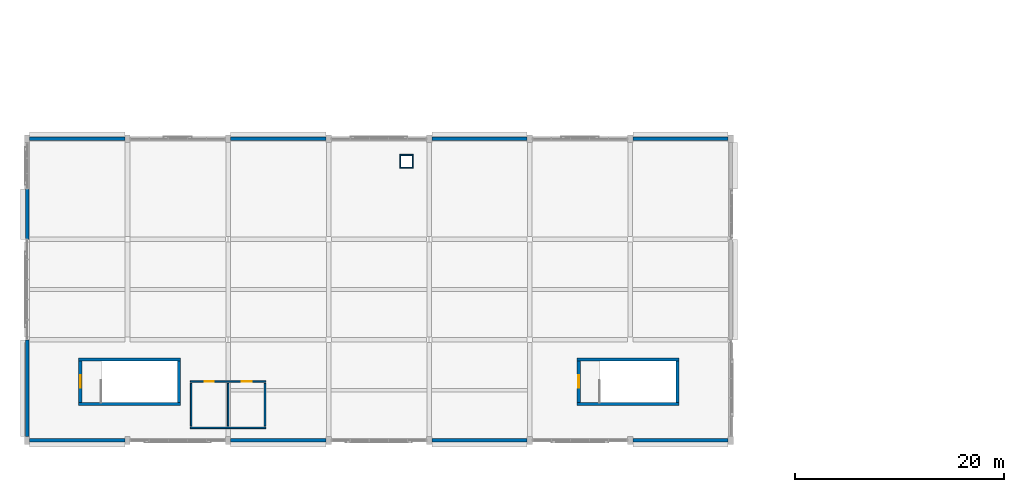
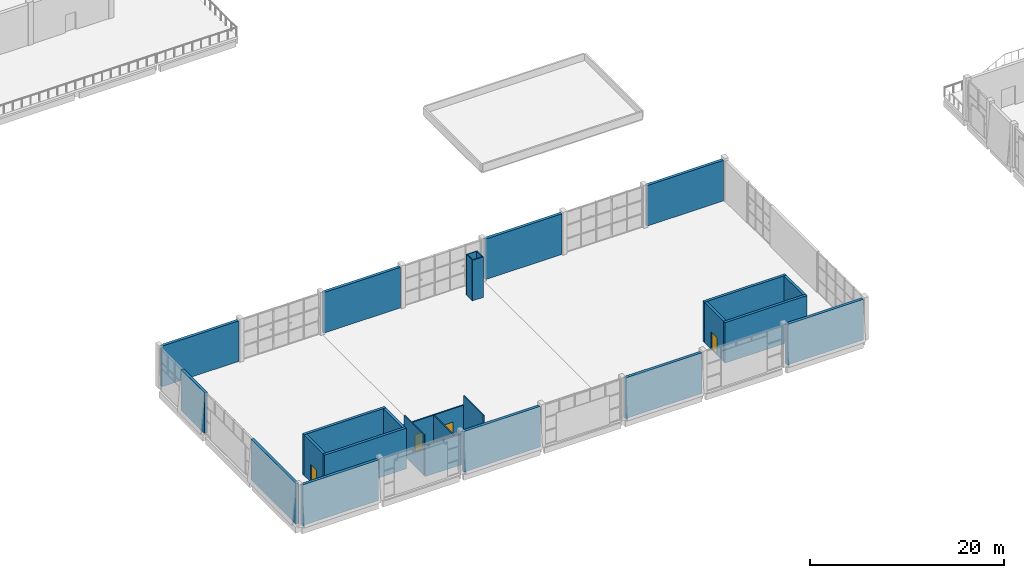
# One storey, part 44 of 72: 27 walls, 4 doors, 4 openings.
"""IFC4 building model written with IfcOpenShell, lengths in metres."""

from ifc_helpers import new_model, si_unit, direction, frame, frame_2d, origin, place, context, subcontext, project, spatial, rectangle, extrude, material, layer, layer_set, type_object, element, fill, save


model = new_model("IFC4")

# Units and contexts
model_context = context("Model", 3, precision=1e-05, world=origin(), true_north=direction((0.0, 1.0)))
body_context = subcontext(model_context, "Body", "Model", "MODEL_VIEW")
ifc_project = project(units=[si_unit("LENGTHUNIT", "METRE"), si_unit("AREAUNIT", "SQUARE_METRE"), si_unit("VOLUMEUNIT", "CUBIC_METRE"), si_unit("PLANEANGLEUNIT", "RADIAN"), si_unit("MASSUNIT", "GRAM", prefix="KILO")], contexts=[model_context])

# Site, building, storey
site_placement = place(None, origin())
site = spatial("IfcSite", under=ifc_project, at=site_placement, CompositionType="ELEMENT")
building_placement = place(site_placement, origin())
building = spatial("IfcBuilding", under=site, at=building_placement, Name="Shalvenor Court Art Gallery", CompositionType="ELEMENT")
storey_placement = place(building_placement, frame((0.0, 0.0, 11.39990234375)))
storey = spatial("IfcBuildingStorey", under=building, at=storey_placement, Name="L02", CompositionType="ELEMENT", Elevation=11.39990234375)

# Walls
ifc_material_1 = material(Name="Concrete C40/50", Category="concrete")
ifc_layer_1 = layer(ifc_material_1, 0.31005859375, Name="Concrete C40/50")
ifc_layer_set_1 = layer_set([ifc_layer_1], Name="Concrete C40/50")
wall_type_1 = type_object("IfcWallType", Name="CW-W2", PredefinedType="SHEAR", material=ifc_layer_set_1)
wall_1_placement = place(storey_placement, frame((4.927978515625, 7.717041015625, 0.0), z_axis=(0.0, 0.0, 1.0), x_axis=(1.0, 0.0, 0.0)))
element("IfcWall", 1, at=wall_1_placement, inside=storey, type_object=wall_type_1, Name="L02 C7 Stair Core Shear Wall N", PredefinedType="SHEAR", context=body_context, shape_type="SweptSolid", body=[
    extrude(rectangle(XDim=9.744140625, YDim=0.31005859375, at=frame_2d((4.8720703125, 0.0))), origin(), (0.0, 0.0, 1.0), 5.10009765625),
])
wall_2_placement = place(storey_placement, frame((14.51708984375, 7.56201171875, 0.0), z_axis=(0.0, 0.0, 1.0), x_axis=(0.0, -1.0, 0.0)))
element("IfcWall", 2, at=wall_2_placement, inside=storey, type_object=wall_type_1, Name="L02 C7 Stair Core Shear Wall E", PredefinedType="SHEAR", context=body_context, shape_type="SweptSolid", body=[
    extrude(rectangle(XDim=3.924072265625, YDim=0.31005859375, at=frame_2d((1.9619140625, 0.0))), origin(), (0.0, 0.0, 1.0), 5.10009765625),
])
wall_3_placement = place(storey_placement, frame((14.672119140625, 3.48291015625, 0.0), z_axis=(0.0, 0.0, 1.0), x_axis=(-1.0, 0.0, 0.0)))
element("IfcWall", 3, at=wall_3_placement, inside=storey, type_object=wall_type_1, Name="L02 C7 Stair Core Shear Wall S", PredefinedType="SHEAR", context=body_context, shape_type="SweptSolid", body=[
    extrude(rectangle(XDim=9.744140625, YDim=0.31005859375, at=frame_2d((4.8720703125, 0.0))), origin(), (0.0, 0.0, 1.0), 5.10009765625),
])

# Wall, opening, door
wall_4_placement = place(storey_placement, frame((5.0830078125, 3.637939453125, 0.0), z_axis=(0.0, 0.0, 1.0), x_axis=(0.0, 1.0, 0.0)))
wall_4 = element("IfcWall", 4, at=wall_4_placement, inside=storey, type_object=wall_type_1, Name="L02 C7 Stair Core Shear Wall W", PredefinedType="SHEAR", context=body_context, shape_type="SweptSolid", body=[
    extrude(rectangle(XDim=3.924072265625, YDim=0.31005859375, at=frame_2d((1.9619140625, 0.0))), origin(), (0.0, 0.0, 1.0), 5.10009765625),
])
opening_1_placement = place(wall_4_placement, frame((1.362060546875, 0.0, 0.0)))
opening_1 = element("IfcOpeningElement", 5, at=opening_1_placement, cuts=wall_4, Name="Opening FD-01", PredefinedType="OPENING", context=body_context, shape_type="SweptSolid", body=[
    extrude(rectangle(XDim=1.199951171875, YDim=2.199951171875, at=frame_2d((0.60009765625, 1.10009765625))), frame((0.0, 0.1650390625, 0.0), z_axis=(0.0, -1.0, 0.0), x_axis=(1.0, 0.0, 0.0)), (0.0, 0.0, 1.0), 0.330078125),
])
ifc_material_2 = material(Name="Fire-rated steel stair doorset", Category="steel")
door_type_1 = type_object("IfcDoorType", Name="FD-01", OperationType="NOTDEFINED", PredefinedType="DOOR", material=ifc_material_2)
door_1_placement = place(opening_1_placement, origin())
door_1 = element("IfcDoor", 6, at=door_1_placement, inside=storey, type_object=door_type_1, Name="DR-ST-L02-C7 L02 ST-07 Fire Stair Door", OperationType="SINGLE_SWING_LEFT", OverallHeight=2.199951171875, OverallWidth=1.199951171875, PredefinedType="DOOR", context=body_context, shape_type="SweptSolid", body=[
    extrude(rectangle(XDim=1.199951171875, YDim=2.199951171875, at=frame_2d((0.60009765625, 1.10009765625))), frame((0.0, 0.02490234375, 0.0), z_axis=(0.0, -1.0, 0.0), x_axis=(1.0, 0.0, 0.0)), (0.0, 0.0, 1.0), 0.050048828125),
])
fill(opening_1, door_1)

# Walls
wall_5_placement = place(storey_placement, frame((52.528076171875, 7.717041015625, 0.0), z_axis=(0.0, 0.0, 1.0), x_axis=(1.0, 0.0, 0.0)))
element("IfcWall", 7, at=wall_5_placement, inside=storey, type_object=wall_type_1, Name="L02 C8 Stair Core Shear Wall N", PredefinedType="SHEAR", context=body_context, shape_type="SweptSolid", body=[
    extrude(rectangle(XDim=9.743896484375, YDim=0.31005859375, at=frame_2d((4.8720703125, 0.0))), origin(), (0.0, 0.0, 1.0), 5.10009765625),
])
wall_6_placement = place(storey_placement, frame((62.116943359375, 7.56201171875, 0.0), z_axis=(0.0, 0.0, 1.0), x_axis=(0.0, -1.0, 0.0)))
element("IfcWall", 8, at=wall_6_placement, inside=storey, type_object=wall_type_1, Name="L02 C8 Stair Core Shear Wall E", PredefinedType="SHEAR", context=body_context, shape_type="SweptSolid", body=[
    extrude(rectangle(XDim=3.924072265625, YDim=0.31005859375, at=frame_2d((1.9619140625, 0.0))), origin(), (0.0, 0.0, 1.0), 5.10009765625),
])
wall_7_placement = place(storey_placement, frame((62.27197265625, 3.48291015625, 0.0), z_axis=(0.0, 0.0, 1.0), x_axis=(-1.0, 0.0, 0.0)))
element("IfcWall", 9, at=wall_7_placement, inside=storey, type_object=wall_type_1, Name="L02 C8 Stair Core Shear Wall S", PredefinedType="SHEAR", context=body_context, shape_type="SweptSolid", body=[
    extrude(rectangle(XDim=9.743896484375, YDim=0.31005859375, at=frame_2d((4.8720703125, 0.0))), origin(), (0.0, 0.0, 1.0), 5.10009765625),
])

# Wall, opening, door
wall_8_placement = place(storey_placement, frame((52.68310546875, 3.637939453125, 0.0), z_axis=(0.0, 0.0, 1.0), x_axis=(0.0, 1.0, 0.0)))
wall_8 = element("IfcWall", 10, at=wall_8_placement, inside=storey, type_object=wall_type_1, Name="L02 C8 Stair Core Shear Wall W", PredefinedType="SHEAR", context=body_context, shape_type="SweptSolid", body=[
    extrude(rectangle(XDim=3.924072265625, YDim=0.31005859375, at=frame_2d((1.9619140625, 0.0))), origin(), (0.0, 0.0, 1.0), 5.10009765625),
])
opening_2_placement = place(wall_8_placement, frame((1.362060546875, 0.0, 0.0)))
opening_2 = element("IfcOpeningElement", 11, at=opening_2_placement, cuts=wall_8, Name="Opening FD-01", PredefinedType="OPENING", context=body_context, shape_type="SweptSolid", body=[
    extrude(rectangle(XDim=1.199951171875, YDim=2.199951171875, at=frame_2d((0.60009765625, 1.10009765625))), frame((0.0, 0.1650390625, 0.0), z_axis=(0.0, -1.0, 0.0), x_axis=(1.0, 0.0, 0.0)), (0.0, 0.0, 1.0), 0.330078125),
])
door_2_placement = place(opening_2_placement, origin())
door_2 = element("IfcDoor", 12, at=door_2_placement, inside=storey, type_object=door_type_1, Name="DR-ST-L02-C8 L02 ST-08 Fire Stair Door", OperationType="SINGLE_SWING_LEFT", OverallHeight=2.199951171875, OverallWidth=1.199951171875, PredefinedType="DOOR", context=body_context, shape_type="SweptSolid", body=[
    extrude(rectangle(XDim=1.199951171875, YDim=2.199951171875, at=frame_2d((0.60009765625, 1.10009765625))), frame((0.0, 0.02490234375, 0.0), z_axis=(0.0, -1.0, 0.0), x_axis=(1.0, 0.0, 0.0)), (0.0, 0.0, 1.0), 0.050048828125),
])
fill(opening_2, door_2)

# Walls
ifc_material_3 = material(Name="Concrete C40/50", Category="concrete")
ifc_layer_2 = layer(ifc_material_3, 0.340087890625, Name="Concrete C40/50")
ifc_layer_set_2 = layer_set([ifc_layer_2], Name="Concrete C40/50")
wall_type_2 = type_object("IfcWallType", Name="EW-04", PredefinedType="SOLIDWALL", material=ifc_layer_set_2)
for number, where, z_axis, x_axis, name in (
    (13, (0.25, 28.800048828125, 0.0), (0.0, 0.0, 1.0), (1.0, 0.0, 0.0), "L02 V4 Exterior Wall WL-L02-0260"),
    (14, (19.449951171875, 28.800048828125, 0.0), (0.0, 0.0, 1.0), (1.0, 0.0, 0.0), "L02 V4 Exterior Wall WL-L02-0261"),
    (15, (38.64990234375, 28.800048828125, 0.0), (0.0, 0.0, 1.0), (1.0, 0.0, 0.0), "L02 V4 Exterior Wall WL-L02-0262"),
):
    element("IfcWall", number, at=place(storey_placement, frame(where, z_axis=z_axis, x_axis=x_axis)), inside=storey, type_object=wall_type_2, Name=name, PredefinedType="SOLIDWALL", context=body_context, shape_type="SweptSolid", body=[
        extrude(rectangle(XDim=9.10009765625, YDim=0.340087890625, at=frame_2d((4.550048828125, 0.0))), origin(), (0.0, 0.0, 1.0), 5.10009765625),
    ])
for number, where, z_axis, x_axis, name in (
    (16, (57.85009765625, 28.800048828125, 0.0), (0.0, 0.0, 1.0), (1.0, 0.0, 0.0), "L02 V4 Exterior Wall WL-L02-0263"),
    (17, (66.949951171875, 0.0, 0.0), (0.0, 0.0, 1.0), (-1.0, 0.0, 0.0), "L02 V4 Exterior Wall WL-L02-0266"),
):
    element("IfcWall", number, at=place(storey_placement, frame(where, z_axis=z_axis, x_axis=x_axis)), inside=storey, type_object=wall_type_2, Name=name, PredefinedType="SOLIDWALL", context=body_context, shape_type="SweptSolid", body=[
        extrude(rectangle(XDim=9.099853515625, YDim=0.340087890625, at=frame_2d((4.5498046875, 0.0))), origin(), (0.0, 0.0, 1.0), 5.10009765625),
    ])
for number, where, z_axis, x_axis, name in (
    (18, (47.75, 0.0, 0.0), (0.0, 0.0, 1.0), (-1.0, 0.0, 0.0), "L02 V4 Exterior Wall WL-L02-0267"),
    (19, (28.550048828125, 0.0, 0.0), (0.0, 0.0, 1.0), (-1.0, 0.0, 0.0), "L02 V4 Exterior Wall WL-L02-0268"),
    (20, (9.35009765625, 0.0, 0.0), (0.0, 0.0, 1.0), (-1.0, 0.0, 0.0), "L02 V4 Exterior Wall WL-L02-0269"),
):
    element("IfcWall", number, at=place(storey_placement, frame(where, z_axis=z_axis, x_axis=x_axis)), inside=storey, type_object=wall_type_2, Name=name, PredefinedType="SOLIDWALL", context=body_context, shape_type="SweptSolid", body=[
        extrude(rectangle(XDim=9.10009765625, YDim=0.340087890625, at=frame_2d((4.550048828125, 0.0))), origin(), (0.0, 0.0, 1.0), 5.10009765625),
    ])
wall_9_placement = place(storey_placement, frame((0.0, 0.375, 0.0), z_axis=(0.0, 0.0, 1.0), x_axis=(0.0, 1.0, 0.0)))
element("IfcWall", 21, at=wall_9_placement, inside=storey, type_object=wall_type_2, Name="L02 V4 Exterior Wall WL-L02-0270", PredefinedType="SOLIDWALL", context=body_context, shape_type="SweptSolid", body=[
    extrude(rectangle(XDim=9.22509765625, YDim=0.340087890625, at=frame_2d((4.612548828125, 0.0))), origin(), (0.0, 0.0, 1.0), 5.10009765625),
])
wall_10_placement = place(storey_placement, frame((0.0, 19.199951171875, 0.0), z_axis=(0.0, 0.0, 1.0), x_axis=(0.0, 1.0, 0.0)))
element("IfcWall", 22, at=wall_10_placement, inside=storey, type_object=wall_type_2, Name="L02 V4 Exterior Wall WL-L02-0271", PredefinedType="SOLIDWALL", context=body_context, shape_type="SweptSolid", body=[
    extrude(rectangle(XDim=4.800048828125, YDim=0.340087890625, at=frame_2d((2.39990234375, 0.0))), origin(), (0.0, 0.0, 1.0), 5.10009765625),
])

# Wall, openings, doors
ifc_material_4 = material(Name="Moisture-resistant sanitary partition", Category="other")
ifc_layer_3 = layer(ifc_material_4, 0.14990234375, Name="Moisture-resistant sanitary partition")
ifc_layer_set_3 = layer_set([ifc_layer_3], Name="Moisture-resistant sanitary partition")
wall_type_3 = type_object("IfcWallType", Name="PT-03", PredefinedType="PARTITIONING", material=ifc_layer_set_3)
wall_11_placement = place(storey_placement, frame((15.60009765625, 5.60009765625, 0.0), z_axis=(0.0, 0.0, 1.0), x_axis=(1.0, 0.0, 0.0)))
wall_11 = element("IfcWall", 23, at=wall_11_placement, inside=storey, type_object=wall_type_3, Name="L02 C7 Restroom Front Partition", PredefinedType="PARTITIONING", context=body_context, shape_type="SweptSolid", body=[
    extrude(rectangle(XDim=7.199951171875, YDim=0.14990234375, at=frame_2d((3.60009765625, 0.0))), origin(), (0.0, 0.0, 1.0), 3.8251953125),
])
opening_3_placement = place(wall_11_placement, frame((1.35009765625, 0.0, 0.0)))
opening_3 = element("IfcOpeningElement", 24, at=opening_3_placement, cuts=wall_11, Name="Opening ID-07", PredefinedType="OPENING", context=body_context, shape_type="SweptSolid", body=[
    extrude(rectangle(XDim=0.89990234375, YDim=2.10009765625, at=frame_2d((0.449951171875, 1.050048828125))), frame((0.0, 0.0849609375, 0.0), z_axis=(0.0, -1.0, 0.0), x_axis=(1.0, 0.0, 0.0)), (0.0, 0.0, 1.0), 0.169921875),
])
opening_4_placement = place(wall_11_placement, frame((4.925048828125, 0.0, 0.0)))
opening_4 = element("IfcOpeningElement", 25, at=opening_4_placement, cuts=wall_11, Name="Opening ID-06", PredefinedType="OPENING", context=body_context, shape_type="SweptSolid", body=[
    extrude(rectangle(XDim=0.949951171875, YDim=2.14990234375, at=frame_2d((0.47509765625, 1.074951171875))), frame((0.0, 0.0849609375, 0.0), z_axis=(0.0, -1.0, 0.0), x_axis=(1.0, 0.0, 0.0)), (0.0, 0.0, 1.0), 0.169921875),
])
ifc_material_5 = material(Name="Accessible restroom doorset", Category="steel")
door_type_2 = type_object("IfcDoorType", Name="ID-06", OperationType="NOTDEFINED", PredefinedType="DOOR", material=ifc_material_5)
door_3_placement = place(opening_4_placement, origin())
door_3 = element("IfcDoor", 26, at=door_3_placement, inside=storey, type_object=door_type_2, Name="DR-AWC-L02-C7-2 L02 C7 Accessible Restroom Door", OperationType="SINGLE_SWING_LEFT", OverallHeight=2.14990234375, OverallWidth=0.949951171875, PredefinedType="DOOR", context=body_context, shape_type="SweptSolid", body=[
    extrude(rectangle(XDim=0.949951171875, YDim=2.14990234375, at=frame_2d((0.47509765625, 1.074951171875))), frame((0.0, 0.02490234375, 0.0), z_axis=(0.0, -1.0, 0.0), x_axis=(1.0, 0.0, 0.0)), (0.0, 0.0, 1.0), 0.050048828125),
])
fill(opening_4, door_3)
ifc_material_6 = material(Name="Restroom timber doorset", Category="wood")
door_type_3 = type_object("IfcDoorType", Name="ID-07", OperationType="NOTDEFINED", PredefinedType="DOOR", material=ifc_material_6)
door_4_placement = place(opening_3_placement, origin())
door_4 = element("IfcDoor", 27, at=door_4_placement, inside=storey, type_object=door_type_3, Name="DR-WC-L02-C7-1 L02 C7 Public Restroom Door", OperationType="SINGLE_SWING_RIGHT", OverallHeight=2.10009765625, OverallWidth=0.89990234375, PredefinedType="DOOR", context=body_context, shape_type="SweptSolid", body=[
    extrude(rectangle(XDim=0.89990234375, YDim=2.10009765625, at=frame_2d((0.449951171875, 1.050048828125))), frame((0.0, 0.02490234375, 0.0), z_axis=(0.0, -1.0, 0.0), x_axis=(1.0, 0.0, 0.0)), (0.0, 0.0, 1.0), 0.050048828125),
])
fill(opening_3, door_4)

# Walls
wall_12_placement = place(storey_placement, frame((15.60009765625, 1.199951171875, 0.0), z_axis=(0.0, 0.0, 1.0), x_axis=(1.0, 0.0, 0.0)))
element("IfcWall", 28, at=wall_12_placement, inside=storey, type_object=wall_type_3, Name="L02 C7 Restroom Back Partition", PredefinedType="PARTITIONING", context=body_context, shape_type="SweptSolid", body=[
    extrude(rectangle(XDim=7.199951171875, YDim=0.14990234375, at=frame_2d((3.60009765625, 0.0))), origin(), (0.0, 0.0, 1.0), 3.8251953125),
])
wall_13_placement = place(storey_placement, frame((15.675048828125, 1.360107421875, 0.0), z_axis=(0.0, 0.0, 1.0), x_axis=(0.0, 1.0, 0.0)))
element("IfcWall", 29, at=wall_13_placement, inside=storey, type_object=wall_type_3, Name="L02 C7 Restroom Partition L", PredefinedType="PARTITIONING", context=body_context, shape_type="SweptSolid", body=[
    extrude(rectangle(XDim=4.079833984375, YDim=0.14990234375, at=frame_2d((2.0400390625, 0.0))), origin(), (0.0, 0.0, 1.0), 5.10009765625),
])
wall_14_placement = place(storey_placement, frame((19.199951171875, 1.360107421875, 0.0), z_axis=(0.0, 0.0, 1.0), x_axis=(0.0, 1.0, 0.0)))
element("IfcWall", 30, at=wall_14_placement, inside=storey, type_object=wall_type_3, Name="L02 C7 Restroom Partition M", PredefinedType="PARTITIONING", context=body_context, shape_type="SweptSolid", body=[
    extrude(rectangle(XDim=4.079833984375, YDim=0.14990234375, at=frame_2d((2.0400390625, 0.0))), origin(), (0.0, 0.0, 1.0), 3.8251953125),
])
wall_15_placement = place(storey_placement, frame((22.72509765625, 1.360107421875, 0.0), z_axis=(0.0, 0.0, 1.0), x_axis=(0.0, 1.0, 0.0)))
element("IfcWall", 31, at=wall_15_placement, inside=storey, type_object=wall_type_3, Name="L02 C7 Restroom Partition R", PredefinedType="PARTITIONING", context=body_context, shape_type="SweptSolid", body=[
    extrude(rectangle(XDim=4.079833984375, YDim=0.14990234375, at=frame_2d((2.0400390625, 0.0))), origin(), (0.0, 0.0, 1.0), 5.10009765625),
])
ifc_material_7 = material(Name="Service riser shaft gypsum partition", Category="other")
ifc_layer_4 = layer(ifc_material_7, 0.10009765625, Name="Service riser shaft gypsum partition")
ifc_layer_set_4 = layer_set([ifc_layer_4], Name="Service riser shaft gypsum partition")
wall_type_4 = type_object("IfcWallType", Name="PT-06", PredefinedType="PARTITIONING", material=ifc_layer_set_4)
for number, where, z_axis, x_axis, name in (
    (32, (35.60009765625, 27.25, 0.0), (0.0, 0.0, 1.0), (1.0, 0.0, 0.0), "L02 Riser Shaft Wall 2.N"),
    (33, (36.89990234375, 26.050048828125, 0.0), (0.0, 0.0, 1.0), (-1.0, 0.0, 0.0), "L02 Riser Shaft Wall 2.S"),
):
    element("IfcWall", number, at=place(storey_placement, frame(where, z_axis=z_axis, x_axis=x_axis)), inside=storey, type_object=wall_type_4, Name=name, PredefinedType="PARTITIONING", context=body_context, shape_type="SweptSolid", body=[
        extrude(rectangle(XDim=1.2998046875, YDim=0.10009765625, at=frame_2d((0.64990234375, 0.0))), origin(), (0.0, 0.0, 1.0), 5.10009765625),
    ])
for number, where, z_axis, x_axis, name in (
    (34, (35.64990234375, 26.10009765625, 0.0), (0.0, 0.0, 1.0), (0.0, 1.0, 0.0), "L02 Riser Shaft Wall 2.W"),
    (35, (36.85009765625, 27.199951171875, 0.0), (0.0, 0.0, 1.0), (0.0, -1.0, 0.0), "L02 Riser Shaft Wall 2.E"),
):
    element("IfcWall", number, at=place(storey_placement, frame(where, z_axis=z_axis, x_axis=x_axis)), inside=storey, type_object=wall_type_4, Name=name, PredefinedType="PARTITIONING", context=body_context, shape_type="SweptSolid", body=[
        extrude(rectangle(XDim=1.099853515625, YDim=0.10009765625, at=frame_2d((0.5498046875, 0.0))), origin(), (0.0, 0.0, 1.0), 5.10009765625),
    ])

save(model, "model.ifc")
